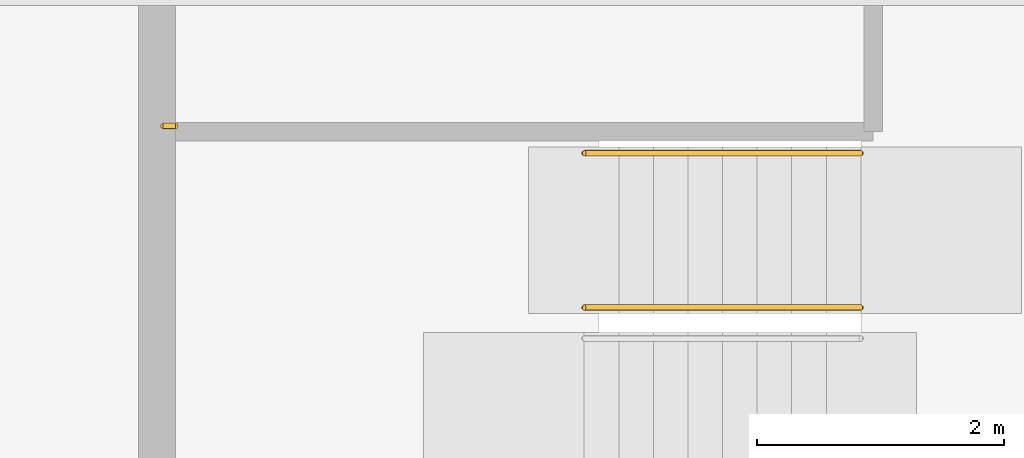
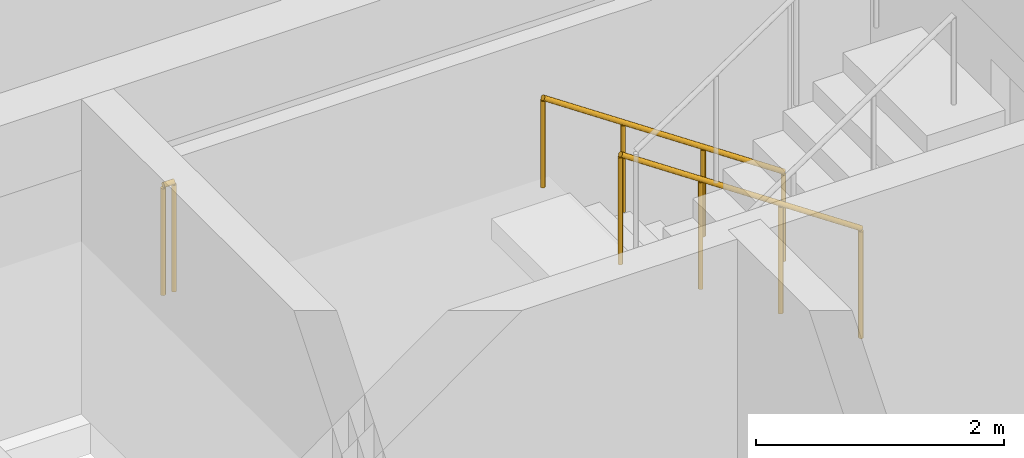
# One storey, part 11 of 12: 3 railings.
"""IFC4 building model written with IfcOpenShell, lengths in metres."""

import ifcopenshell
import ifcopenshell.guid

model = None  # the IFC model being written
_history = None  # IfcOwnerHistory: only IFC2X3 demands one
_inside = {}  # id of a spatial element -> (the spatial element, [elements in it])
_under = {}  # id of a project, library or spatial element -> (it, [spatial elements below it])
_declared = {}  # id of a project -> (the project, [libraries it declares])
_typed = {}  # id of a type object -> (the type object, [elements of that type])
_made_of = {}  # id of a material, layer set ... -> (it, [elements and type objects made of it])


def new_model(schema):
    """Start an empty IFC model of exactly this schema.

    Asked for "IFC4X3", IfcOpenShell would pick the latest addendum, in which some entities
    have other attributes; the version numbers below select the first issue.
    IFC2X3 requires an IfcOwnerHistory on every rooted entity: one is made here for all.
    """
    global model, _history
    if schema == "IFC4X3":
        model = ifcopenshell.file(schema_version=(4, 3, 0, 0))
    else:
        model = ifcopenshell.file(schema=schema)
    _inside.clear()
    _under.clear()
    _declared.clear()
    _typed.clear()
    _made_of.clear()
    _history = None
    if model.schema == "IFC2X3":
        org = make("IfcOrganization", Name="unknown")
        user = make(
            "IfcPersonAndOrganization",
            ThePerson=make("IfcPerson", FamilyName="unknown"),
            TheOrganization=org,
        )
        app = make(
            "IfcApplication",
            ApplicationDeveloper=org,
            Version="unknown",
            ApplicationFullName="unknown",
            ApplicationIdentifier="unknown",
        )
        _history = make(
            "IfcOwnerHistory",
            OwningUser=user,
            OwningApplication=app,
            ChangeAction="ADDED",
            CreationDate=0,
        )
    return model


def make(cls, **values):
    """One entity of the class cls with the attributes given. An attribute that is None is left unset."""
    return model.create_entity(
        cls, **{name: value for name, value in values.items() if value is not None}
    )


def rooted(cls, **values):
    """An entity with a GlobalId (a new one), such as an element, a storey or a relation."""
    return make(cls, GlobalId=ifcopenshell.guid.new(), OwnerHistory=_history, **values)


def si_unit(unit_type, name, prefix=None):
    """IfcSIUnit, for example si_unit("LENGTHUNIT", "METRE", prefix="MILLI")."""
    return make("IfcSIUnit", UnitType=unit_type, Prefix=prefix, Name=name)


def assignment(units):
    """IfcUnitAssignment: the units of a project."""
    return None if units is None else make("IfcUnitAssignment", Units=units)


def point(xyz):
    """IfcCartesianPoint."""
    return None if xyz is None else make("IfcCartesianPoint", Coordinates=xyz)


def direction(xyz):
    """IfcDirection."""
    return None if xyz is None else make("IfcDirection", DirectionRatios=xyz)


def frame(location, z_axis=None, x_axis=None):
    """IfcAxis2Placement3D, a coordinate frame: its origin and axes. An axis left out is left unset."""
    return make(
        "IfcAxis2Placement3D",
        Location=point(location),
        Axis=direction(z_axis),
        RefDirection=direction(x_axis),
    )


def frame_2d(location, x_axis=None):
    """IfcAxis2Placement2D, a coordinate frame in the plane: its origin and x axis."""
    return make(
        "IfcAxis2Placement2D", Location=point(location), RefDirection=direction(x_axis)
    )


def origin():
    """The frame at (0, 0, 0) with its axes left unset."""
    return frame((0.0, 0.0, 0.0))


def origin_2d():
    """The frame at (0, 0) in the plane with its x axis left unset."""
    return frame_2d((0.0, 0.0))


def place(relative_to, where):
    """IfcLocalPlacement: puts the frame where relative to a parent placement (None: the world)."""
    return make(
        "IfcLocalPlacement", PlacementRelTo=relative_to, RelativePlacement=where
    )


def context(
    kind, dimensions, precision=None, world=None, true_north=None, identifier=None
):
    """IfcGeometricRepresentationContext, for example the 3D "Model" context."""
    return make(
        "IfcGeometricRepresentationContext",
        ContextIdentifier=identifier,
        ContextType=kind,
        CoordinateSpaceDimension=dimensions,
        Precision=precision,
        WorldCoordinateSystem=world,
        TrueNorth=true_north,
    )


def subcontext(parent, identifier, kind, view, scale=None):
    """IfcGeometricRepresentationSubContext, for example "Body" below "Model"."""
    return make(
        "IfcGeometricRepresentationSubContext",
        ContextIdentifier=identifier,
        ContextType=kind,
        ParentContext=parent,
        TargetScale=scale,
        TargetView=view,
    )


def project(units=None, contexts=None):
    """IfcProject with its units and contexts."""
    return rooted(
        "IfcProject",
        Name="project",
        RepresentationContexts=contexts,
        UnitsInContext=assignment(units),
    )


def spatial(cls, under=None, at=None, **own):
    """A site, building, storey or space (cls), placed at a placement, below another one or the project."""
    s = rooted(cls, ObjectPlacement=at, **own)
    if under is not None:
        _under.setdefault(under.id(), (under, []))[1].append(s)
    return s


def profile(cls, at=None, kind="AREA", **sizes):
    """A parametric profile (cls). Its sizes go by their IFC names, for example OverallWidth=200.0."""
    return make(cls, ProfileType=kind, Position=at, **sizes)


def circle(**sizes):
    """IfcCircleProfileDef."""
    return profile("IfcCircleProfileDef", **sizes)


def extrude(swept, where, along, depth):
    """IfcExtrudedAreaSolid: the profile swept, set in the frame where, extruded along a direction by depth."""
    return make(
        "IfcExtrudedAreaSolid",
        SweptArea=swept,
        Position=where,
        ExtrudedDirection=direction(along),
        Depth=depth,
    )


def shape(context_of_items, identifier, shape_type, items):
    """IfcShapeRepresentation: the items that make up one representation, for example the "Body"."""
    return make(
        "IfcShapeRepresentation",
        ContextOfItems=context_of_items,
        RepresentationIdentifier=identifier,
        RepresentationType=shape_type,
        Items=items,
    )


def material(Name=None, Category=None):
    """IfcMaterial."""
    return make("IfcMaterial", Name=Name, Category=Category)


def made_of(thing, what):
    """Note that an element or type object is made of a material, layer set ...; save() writes the relation."""
    if what is not None:
        _made_of.setdefault(what.id(), (what, []))[1].append(thing)
    return thing


def type_object(cls, material=None, **own):
    """A type object (cls), such as IfcWallType, which elements share."""
    return made_of(rooted(cls, **own), material)


def element(
    cls,
    number,
    at=None,
    inside=None,
    cuts=None,
    type_object=None,
    material=None,
    context=None,
    identifier="Body",
    shape_type=None,
    held_by="IfcProductDefinitionShape",
    body=None,
    shapes=None,
    **own,
):
    """One element of the class cls, such as IfcWall. Its Tag is "e" and its number.

    at: its placement. inside: the storey or other place that contains it. cuts: it is an
    opening in that element (IfcRelVoidsElement). A single representation is given by context,
    identifier, shape_type and body (its items); several are given by shapes. held_by: the class
    of the entity that holds the representations. save() writes the other relations.
    """
    e = rooted(cls, Tag="e%d" % number, ObjectPlacement=at, **own)
    if body is not None:
        shapes = [shape(context, identifier, shape_type, body)]
    if shapes is not None:
        e.Representation = make(held_by, Representations=shapes)
    if inside is not None:
        _inside.setdefault(inside.id(), (inside, []))[1].append(e)
    if cuts is not None:
        rooted(
            "IfcRelVoidsElement", RelatingBuildingElement=cuts, RelatedOpeningElement=e
        )
    if type_object is not None:
        _typed.setdefault(type_object.id(), (type_object, []))[1].append(e)
    return made_of(e, material)


def aggregate(whole, parts):
    """IfcRelAggregates: a whole, such as a stair, and the parts it consists of."""
    return rooted("IfcRelAggregates", RelatingObject=whole, RelatedObjects=parts)


def save(model, path):
    """Write the relations noted so far, then the file.

    IfcRelAggregates (storeys below a building ...), IfcRelContainedInSpatialStructure (elements
    in a storey), IfcRelDefinesByType, IfcRelAssociatesMaterial and IfcRelDeclares: one each for
    every whole, place, type object, material and project.
    """
    for whole, parts in _under.values():
        aggregate(whole, parts)
    for where, things in _inside.values():
        rooted(
            "IfcRelContainedInSpatialStructure",
            RelatedElements=things,
            RelatingStructure=where,
        )
    for kind, things in _typed.values():
        rooted("IfcRelDefinesByType", RelatedObjects=things, RelatingType=kind)
    for what, things in _made_of.values():
        rooted("IfcRelAssociatesMaterial", RelatedObjects=things, RelatingMaterial=what)
    for by, libraries in _declared.values():
        rooted("IfcRelDeclares", RelatingContext=by, RelatedDefinitions=libraries)
    model.write(path)


model = new_model("IFC4")

# Units and contexts
model_context = context("Model", 3, precision=1e-05, world=origin(), true_north=direction((0.0, 1.0)))
body_context = subcontext(model_context, "Body", "Model", "MODEL_VIEW")
ifc_project = project(units=[si_unit("LENGTHUNIT", "METRE"), si_unit("AREAUNIT", "SQUARE_METRE"), si_unit("VOLUMEUNIT", "CUBIC_METRE"), si_unit("PLANEANGLEUNIT", "RADIAN"), si_unit("MASSUNIT", "GRAM", prefix="KILO")], contexts=[model_context])

# Site, building, storey
site_placement = place(None, origin())
site = spatial("IfcSite", under=ifc_project, at=site_placement, CompositionType="ELEMENT")
building_placement = place(site_placement, origin())
building = spatial("IfcBuilding", under=site, at=building_placement, Name="Windrow Commons", CompositionType="ELEMENT")
storey_placement = place(building_placement, frame((0.0, 0.0, 254.0)))
storey = spatial("IfcBuildingStorey", under=building, at=storey_placement, Name="L69", CompositionType="ELEMENT", Elevation=254.0)

# Railings
ifc_material_1 = material(Name="Steel S355", Category="steel")
railing_type_1 = type_object("IfcRailingType", Name="Core stair guard 1100", PredefinedType="GUARDRAIL", material=ifc_material_1)
railing_1_placement = place(storey_placement, frame((70.5, 62.355, 0.1889)))
element("IfcRailing", 1, at=railing_1_placement, inside=storey, type_object=railing_type_1, Name="L69 ST-A2 stair guard 1", PredefinedType="GUARDRAIL", context=body_context, shape_type="SweptSolid", body=[
    extrude(circle(Radius=0.024, at=origin_2d()), frame((0.0, 0.0, 1.076), z_axis=(-0.8290030985, 0.0, 0.5592440099), x_axis=(0.0, -1.0, 0.0)), (0.0, 0.0, 1.0), 2.702),
    extrude(circle(Radius=0.021, at=origin_2d()), origin(), (0.0, 0.0, 1.0), 1.052),
    extrude(circle(Radius=0.021, at=origin_2d()), frame((-0.7467, 0.0, 0.5037)), (0.0, 0.0, 1.0), 1.052),
    extrude(circle(Radius=0.021, at=origin_2d()), frame((-1.4933, 0.0, 1.0074)), (0.0, 0.0, 1.0), 1.052),
    extrude(circle(Radius=0.021, at=origin_2d()), frame((-2.24, 0.0, 1.5111)), (0.0, 0.0, 1.0), 1.052),
])
railing_2_placement = place(storey_placement, frame((64.95, 63.825, 1.7)))
element("IfcRailing", 2, at=railing_2_placement, inside=storey, type_object=railing_type_1, Name="L69 ST-A2 stair guard 3", PredefinedType="GUARDRAIL", context=body_context, shape_type="SweptSolid", body=[
    extrude(circle(Radius=0.024, at=origin_2d()), frame((0.0, 0.0, 1.076), z_axis=(-1.0, 0.0, 0.0), x_axis=(0.0, -1.0, 0.0)), (0.0, 0.0, 1.0), 0.1),
    extrude(circle(Radius=0.021, at=origin_2d()), origin(), (0.0, 0.0, 1.0), 1.052),
    extrude(circle(Radius=0.021, at=origin_2d()), frame((-0.1, 0.0, 0.0)), (0.0, 0.0, 1.0), 1.052),
])
ifc_material_2 = material(Name="Steel S355", Category="steel")
railing_type_2 = type_object("IfcRailingType", Name="Core stair handrail 900", PredefinedType="HANDRAIL", material=ifc_material_2)
railing_3_placement = place(storey_placement, frame((70.5, 63.605, 0.1889)))
element("IfcRailing", 3, at=railing_3_placement, inside=storey, type_object=railing_type_2, Name="L69 ST-A2 stair handrail 1", PredefinedType="HANDRAIL", context=body_context, shape_type="SweptSolid", body=[
    extrude(circle(Radius=0.024, at=origin_2d()), frame((0.0, 0.0, 0.876), z_axis=(-0.8290030985, 0.0, 0.5592440099), x_axis=(0.0, -1.0, 0.0)), (0.0, 0.0, 1.0), 2.702),
    extrude(circle(Radius=0.021, at=origin_2d()), origin(), (0.0, 0.0, 1.0), 0.852),
    extrude(circle(Radius=0.021, at=origin_2d()), frame((-0.7467, 0.0, 0.5037)), (0.0, 0.0, 1.0), 0.852),
    extrude(circle(Radius=0.021, at=origin_2d()), frame((-1.4933, 0.0, 1.0074)), (0.0, 0.0, 1.0), 0.852),
    extrude(circle(Radius=0.021, at=origin_2d()), frame((-2.24, 0.0, 1.5111)), (0.0, 0.0, 1.0), 0.852),
])

save(model, "model.ifc")
